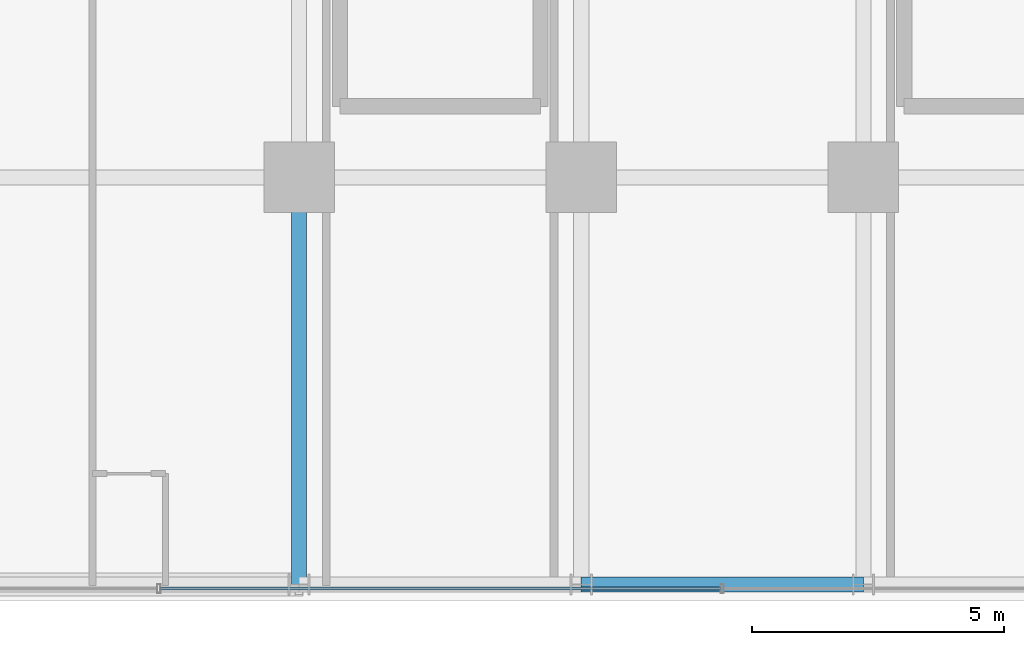
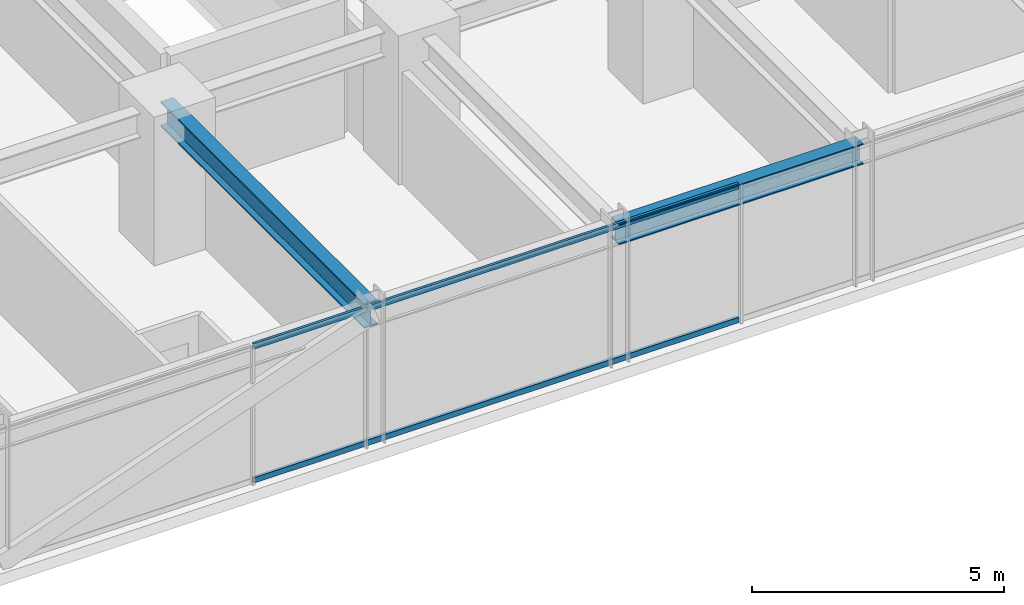
# One storey, part 7 of 39: 2 beams, 2 members, 1 element without a shape of its own.
"""IFC4 building model written with IfcOpenShell, lengths in metres."""

from ifc_helpers import new_model, si_unit, direction, frame, origin, origin_2d, place, context, subcontext, project, spatial, hollow_rectangle, i_section, extrude, source, transform, mapped, material, material_profile, profile_set, type_object, element, aggregate, save


model = new_model("IFC4")

# Units and contexts
model_context = context("Model", 3, precision=1e-05, world=origin(), true_north=direction((0.0, 1.0)))
body_context = subcontext(model_context, "Body", "Model", "MODEL_VIEW")
ifc_project = project(units=[si_unit("LENGTHUNIT", "METRE"), si_unit("AREAUNIT", "SQUARE_METRE"), si_unit("VOLUMEUNIT", "CUBIC_METRE"), si_unit("PLANEANGLEUNIT", "RADIAN"), si_unit("MASSUNIT", "GRAM", prefix="KILO")], contexts=[model_context])

# Site, building, storey
site_placement = place(None, origin())
site = spatial("IfcSite", under=ifc_project, at=site_placement, CompositionType="ELEMENT")
building_placement = place(site_placement, origin())
building = spatial("IfcBuilding", under=site, at=building_placement, Name="Nahalor Promenade Grand Hotel", CompositionType="ELEMENT")
storey_placement = place(building_placement, frame((0.0, 0.0, 32.39990234375)))
storey = spatial("IfcBuildingStorey", under=building, at=storey_placement, Name="L06", CompositionType="ELEMENT", Elevation=32.39990234375)

# Beams
ifc_material_1 = material(Name="Steel S355JR", Category="steel")
ifc_material_profile_1 = material_profile(ifc_material_1, i_section(OverallWidth=0.3, OverallDepth=0.5, WebThickness=0.0145, FlangeThickness=0.028, at=origin_2d()), Name="HEB 500")
ifc_profile_set_1 = profile_set([ifc_material_profile_1], Name="Steel S355JR")
beam_type_1 = type_object("IfcBeamType", Name="Beam-Spandrel-HEB500", PredefinedType="SPANDREL", material=ifc_profile_set_1)
shared_shape_1 = source(origin(), body_context, "Body", "SweptSolid", [
    extrude(i_section(OverallWidth=0.3, OverallDepth=0.5, WebThickness=0.0145, FlangeThickness=0.028, at=origin_2d()), origin(), (0.0, 0.0, 1.0), 5.60009765625),
])
beam_1_placement = place(storey_placement, frame((-2.800048828125, -25.080078125, 3.1201171875), z_axis=(1.0, 0.0, 0.0), x_axis=(0.0, 1.0, 0.0)))
element("IfcBeam", 1, at=beam_1_placement, inside=storey, type_object=beam_type_1, Name="BM-L06-SP-S-2", PredefinedType="SPANDREL", context=body_context, shape_type="MappedRepresentation", body=[
    mapped(shared_shape_1, transform((0.0, 0.0, 0.0), scale=1.0)),
])
ifc_material_profile_2 = material_profile(ifc_material_1, i_section(OverallWidth=0.3, OverallDepth=0.6, WebThickness=0.0155, FlangeThickness=0.03, at=origin_2d()), Name="HEB 600")
ifc_profile_set_2 = profile_set([ifc_material_profile_2], Name="Steel S355JR")
beam_type_2 = type_object("IfcBeamType", Name="Beam-Girder-HEB600", PredefinedType="BEAM", material=ifc_profile_set_2)
shared_shape_2 = source(origin(), body_context, "Body", "SweptSolid", [
    extrude(i_section(OverallWidth=0.3, OverallDepth=0.6, WebThickness=0.0155, FlangeThickness=0.03, at=origin_2d()), origin(), (0.0, 0.0, 1.0), 8.080078125),
])
beam_2_placement = place(storey_placement, frame((-8.39990234375, -25.080078125, 3.070068359375), z_axis=(0.0, 1.0, 0.0), x_axis=(-1.0, 0.0, 0.0)))
element("IfcBeam", 2, at=beam_2_placement, inside=storey, type_object=beam_type_2, Name="BM-L06-GY-1-0", PredefinedType="BEAM", context=body_context, shape_type="MappedRepresentation", body=[
    mapped(shared_shape_2, transform((0.0, 0.0, 0.0), scale=1.0)),
])

# Curtain wall, members
ifc_material_2 = material(Name="Anodised Bronze Aluminium EN AW-6063 T6", Category="aluminium")
curtain_wall_type = type_object("IfcCurtainWallType", Name="CW2 Typical Hotel Flush Bronze Unitised Curtain Wall", PredefinedType="USERDEFINED", material=ifc_material_2)
curtain_wall_placement = place(storey_placement, origin())
curtain_wall = element("IfcCurtainWall", 3, at=curtain_wall_placement, inside=storey, type_object=curtain_wall_type, Name="L06 Curtain Wall CW-L06-S-1", ObjectType="UNITISED_CURTAIN_WALL", PredefinedType="USERDEFINED")
ifc_material_profile_3 = material_profile(ifc_material_2, hollow_rectangle(XDim=0.065, YDim=0.13, WallThickness=0.004, at=origin_2d()), Name="CWT 65x130x4")
ifc_profile_set_3 = profile_set([ifc_material_profile_3], Name="Anodised Bronze Aluminium EN AW-6063 T6")
member_type = type_object("IfcMemberType", Name="CWT2 Typical Bronze Transom 65x130", PredefinedType="USERDEFINED", material=ifc_profile_set_3)
shared_shape_3 = source(origin(), body_context, "Body", "SweptSolid", [
    extrude(hollow_rectangle(XDim=0.065, YDim=0.13, WallThickness=0.004, at=origin_2d()), origin(), (0.0, 0.0, 1.0), 11.114990234375),
])
member_1_placement = place(storey_placement, frame((-11.1474609375, -25.159912109375, 0.065185546875), z_axis=(1.0, 0.0, 0.0), x_axis=(0.0, 1.0, 0.0)))
member_1 = element("IfcMember", 4, at=member_1_placement, type_object=member_type, Name="CW-L06-S-1 Transom 1-0", ObjectType="TRANSOM", PredefinedType="USERDEFINED", context=body_context, shape_type="MappedRepresentation", body=[
    mapped(shared_shape_3, transform((0.0, 0.0, 0.0), scale=1.0)),
])
member_2_placement = place(storey_placement, frame((-11.1474609375, -25.159912109375, 3.30517578125), z_axis=(1.0, 0.0, 0.0), x_axis=(0.0, 1.0, 0.0)))
member_2 = element("IfcMember", 5, at=member_2_placement, type_object=member_type, Name="CW-L06-S-1 Transom 1-1", ObjectType="TRANSOM", PredefinedType="USERDEFINED", context=body_context, shape_type="MappedRepresentation", body=[
    mapped(shared_shape_3, transform((0.0, 0.0, 0.0), scale=1.0)),
])
aggregate(curtain_wall, [member_1, member_2])

save(model, "model.ifc")
